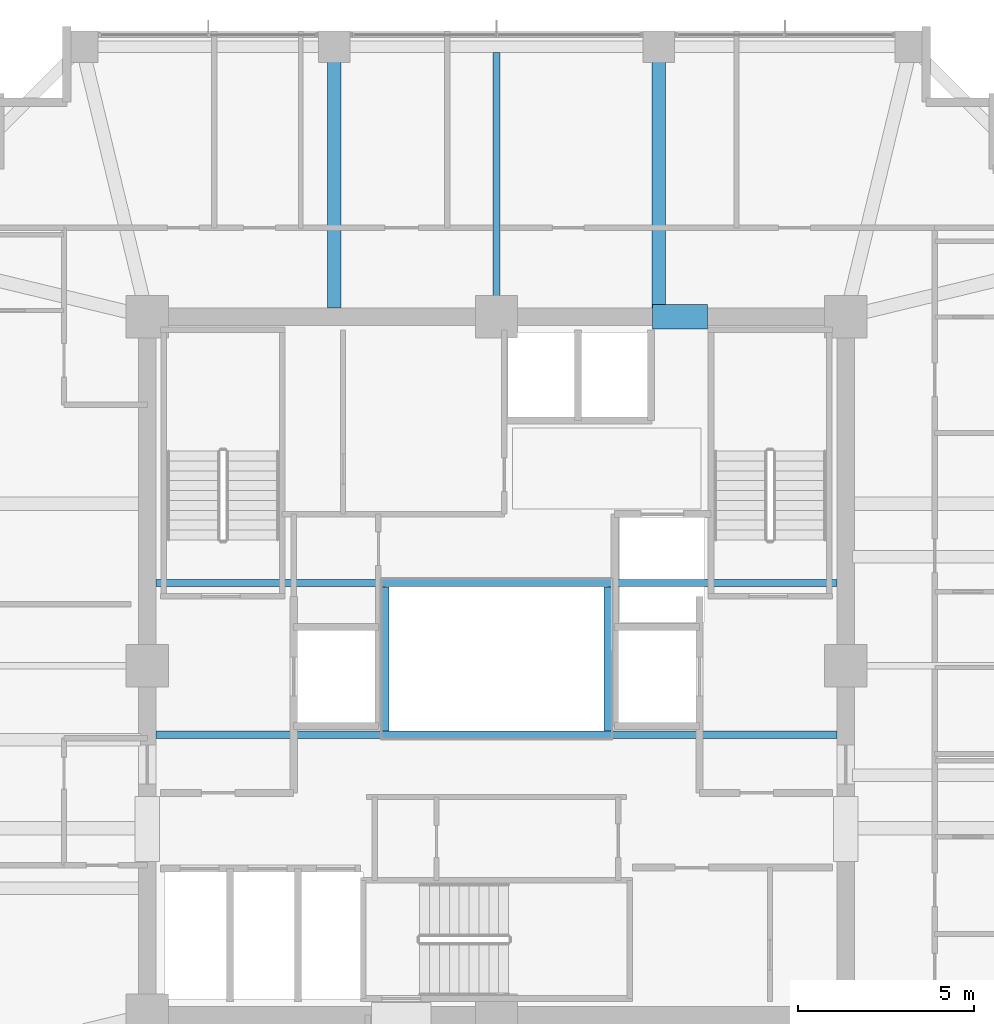
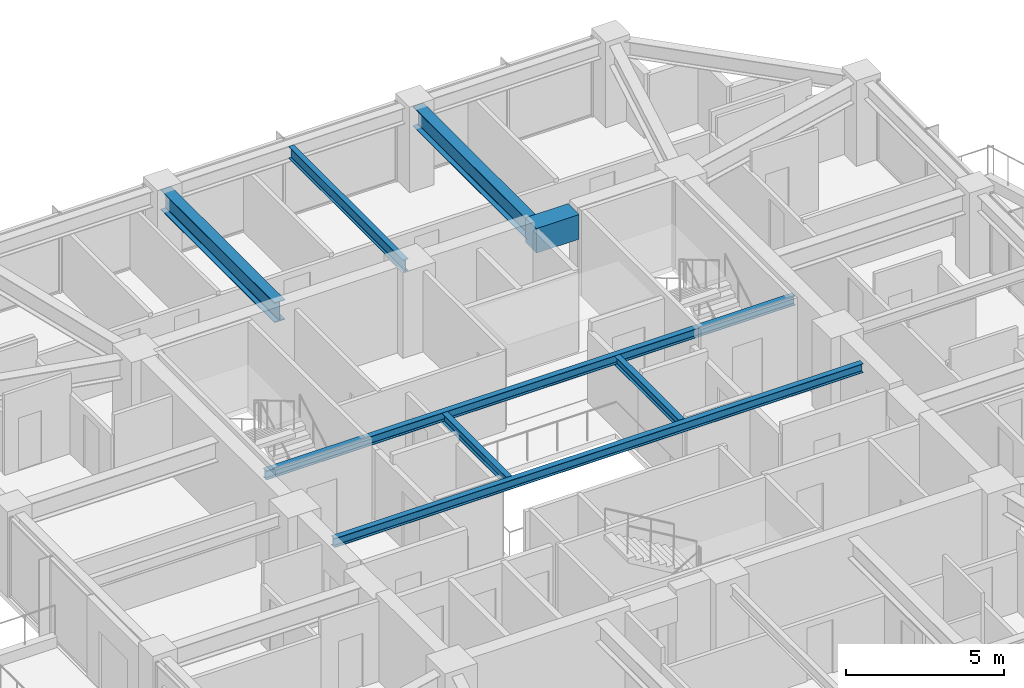
# One storey, part 11 of 32: 8 beams.
"""IFC4 building model written with IfcOpenShell, lengths in metres."""

from ifc_helpers import new_model, si_unit, direction, frame, origin, origin_2d, place, context, subcontext, project, spatial, rectangle, i_section, extrude, material, material_profile, profile_set, type_object, element, save


model = new_model("IFC4")

# Units and contexts
model_context = context("Model", 3, precision=1e-05, world=origin(), true_north=direction((0.0, 1.0)))
body_context = subcontext(model_context, "Body", "Model", "MODEL_VIEW")
ifc_project = project(units=[si_unit("LENGTHUNIT", "METRE"), si_unit("AREAUNIT", "SQUARE_METRE"), si_unit("VOLUMEUNIT", "CUBIC_METRE"), si_unit("PLANEANGLEUNIT", "RADIAN"), si_unit("MASSUNIT", "GRAM", prefix="KILO")], contexts=[model_context])

# Site, building, storey
site_placement = place(None, origin())
site = spatial("IfcSite", under=ifc_project, at=site_placement, CompositionType="ELEMENT")
building_placement = place(site_placement, origin())
building = spatial("IfcBuilding", under=site, at=building_placement, Name="Kolvaren Belvedere", CompositionType="ELEMENT")
storey_placement = place(building_placement, frame((0.0, 0.0, 141.5)))
storey = spatial("IfcBuildingStorey", under=building, at=storey_placement, Name="L41", CompositionType="ELEMENT", Elevation=141.5)

# Beams
ifc_material_1 = material(Name="Structural steel ASTM A992 Grade 50", Category="steel")
ifc_material_profile_1 = material_profile(ifc_material_1, i_section(OverallWidth=0.2041015625, OverallDepth=0.35009765625, WebThickness=0.008544921875, FlangeThickness=0.01513671875, FilletRadius=0.013916015625, at=origin_2d()), Name="W14X48")
ifc_profile_set_1 = profile_set([ifc_material_profile_1], Name="Structural steel ASTM A992 Grade 50")
beam_type_1 = type_object("IfcBeamType", Name="BM-ATRIUM-W14X48", PredefinedType="BEAM", material=ifc_profile_set_1)
for number, where, z_axis, x_axis, name in (
    (1, (-9.64990234375, -1.949951171875, 2.925048828125), (1.0, 0.0, 0.0), (0.0, 1.0, 0.0), "L41 Central Atrium South Girder AS"),
    (2, (-9.64990234375, 2.35009765625, 2.925048828125), (1.0, 0.0, 0.0), (0.0, 1.0, 0.0), "L41 Central Atrium North Girder AN"),
):
    element("IfcBeam", number, at=place(storey_placement, frame(where, z_axis=z_axis, x_axis=x_axis)), inside=storey, type_object=beam_type_1, Name=name, PredefinedType="BEAM", context=body_context, shape_type="SweptSolid", body=[
        extrude(i_section(OverallWidth=0.2041015625, OverallDepth=0.35009765625, WebThickness=0.008544921875, FlangeThickness=0.01513671875, FilletRadius=0.013916015625, at=origin_2d()), origin(), (0.0, 0.0, 1.0), 19.2998046875),
    ])
for number, where, z_axis, x_axis, name in (
    (3, (-3.14990234375, -1.840087890625, 2.925048828125), (0.0, 1.0, 0.0), (-1.0, 0.0, 0.0), "L41 Central Atrium West Edge Beam AW"),
    (4, (3.14990234375, -1.840087890625, 2.925048828125), (0.0, 1.0, 0.0), (-1.0, 0.0, 0.0), "L41 Central Atrium East Edge Beam AE"),
):
    element("IfcBeam", number, at=place(storey_placement, frame(where, z_axis=z_axis, x_axis=x_axis)), inside=storey, type_object=beam_type_1, Name=name, PredefinedType="BEAM", context=body_context, shape_type="SweptSolid", body=[
        extrude(i_section(OverallWidth=0.2041015625, OverallDepth=0.35009765625, WebThickness=0.008544921875, FlangeThickness=0.01513671875, FilletRadius=0.013916015625, at=origin_2d()), origin(), (0.0, 0.0, 1.0), 4.080078125),
    ])
ifc_material_2 = material(Name="Structural steel ASTM A992 Grade 50", Category="steel")
ifc_material_profile_2 = material_profile(ifc_material_2, i_section(OverallWidth=0.381103515625, OverallDepth=0.77294921875, WebThickness=0.0166015625, FlangeThickness=0.027099609375, FilletRadius=0.02392578125, at=origin_2d()), Name="W30X173")
ifc_profile_set_2 = profile_set([ifc_material_profile_2], Name="Structural steel ASTM A992 Grade 50")
beam_type_2 = type_object("IfcBeamType", Name="BM-GIRD-W30X173", PredefinedType="BEAM", material=ifc_profile_set_2)
for number, where, z_axis, x_axis, name in (
    (5, (4.60009765625, 10.14990234375, 2.71337890625), (0.0, 1.0, 0.0), (-1.0, 0.0, 0.0), "L41 North Radial Girder P"),
    (6, (-4.60009765625, 10.14990234375, 2.71337890625), (0.0, 1.0, 0.0), (-1.0, 0.0, 0.0), "L41 North Radial Girder M"),
):
    element("IfcBeam", number, at=place(storey_placement, frame(where, z_axis=z_axis, x_axis=x_axis)), inside=storey, type_object=beam_type_2, Name=name, PredefinedType="BEAM", context=body_context, shape_type="SweptSolid", body=[
        extrude(i_section(OverallWidth=0.381103515625, OverallDepth=0.77294921875, WebThickness=0.0166015625, FlangeThickness=0.027099609375, FilletRadius=0.02392578125, at=origin_2d()), origin(), (0.0, 0.0, 1.0), 7.197509765625),
    ])
ifc_material_3 = material(Name="Structural steel ASTM A992 Grade 50", Category="steel")
ifc_material_profile_3 = material_profile(ifc_material_3, i_section(OverallWidth=0.19091796875, OverallDepth=0.4599609375, WebThickness=0.010009765625, FlangeThickness=0.01611328125, FilletRadius=0.014892578125, at=origin_2d()), Name="W18X55")
ifc_profile_set_3 = profile_set([ifc_material_profile_3], Name="Structural steel ASTM A992 Grade 50")
beam_type_3 = type_object("IfcBeamType", Name="BM-JOIST-W18X55", PredefinedType="BEAM", material=ifc_profile_set_3)
beam_1_placement = place(storey_placement, frame((0.0, 10.14990234375, 2.8701171875), z_axis=(0.0, 1.0, 0.0), x_axis=(-1.0, 0.0, 0.0)))
element("IfcBeam", 7, at=beam_1_placement, inside=storey, type_object=beam_type_3, Name="L41 North Centre Floor Beam", PredefinedType="BEAM", context=body_context, shape_type="SweptSolid", body=[
    extrude(i_section(OverallWidth=0.19091796875, OverallDepth=0.4599609375, WebThickness=0.010009765625, FlangeThickness=0.01611328125, FilletRadius=0.014892578125, at=origin_2d()), origin(), (0.0, 0.0, 1.0), 7.237548828125),
])
ifc_material_4 = material(Name="Concrete C60/75", Category="concrete")
ifc_material_profile_4 = material_profile(ifc_material_4, rectangle(XDim=0.699951171875, YDim=0.949951171875, at=origin_2d()), Name="RC 700X950")
ifc_profile_set_4 = profile_set([ifc_material_profile_4], Name="Concrete C60/75")
beam_type_4 = type_object("IfcBeamType", Name="BM-LINT-950", PredefinedType="LINTEL", material=ifc_profile_set_4)
beam_2_placement = place(storey_placement, frame((4.419921875, 9.89990234375, 2.625), z_axis=(1.0, 0.0, 0.0), x_axis=(0.0, 1.0, 0.0)))
element("IfcBeam", 8, at=beam_2_placement, inside=storey, type_object=beam_type_4, Name="L41 North Core Coupling Lintel", PredefinedType="LINTEL", context=body_context, shape_type="SweptSolid", body=[
    extrude(rectangle(XDim=0.699951171875, YDim=0.949951171875, at=origin_2d()), origin(), (0.0, 0.0, 1.0), 1.56005859375),
])

save(model, "model.ifc")
